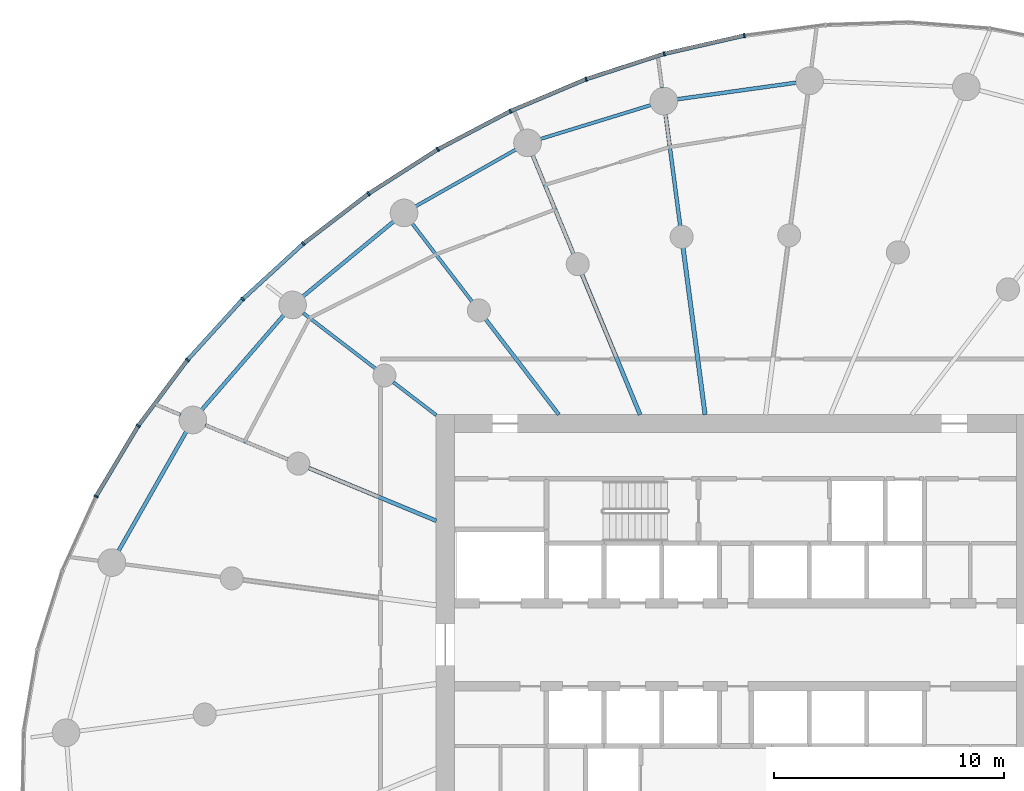
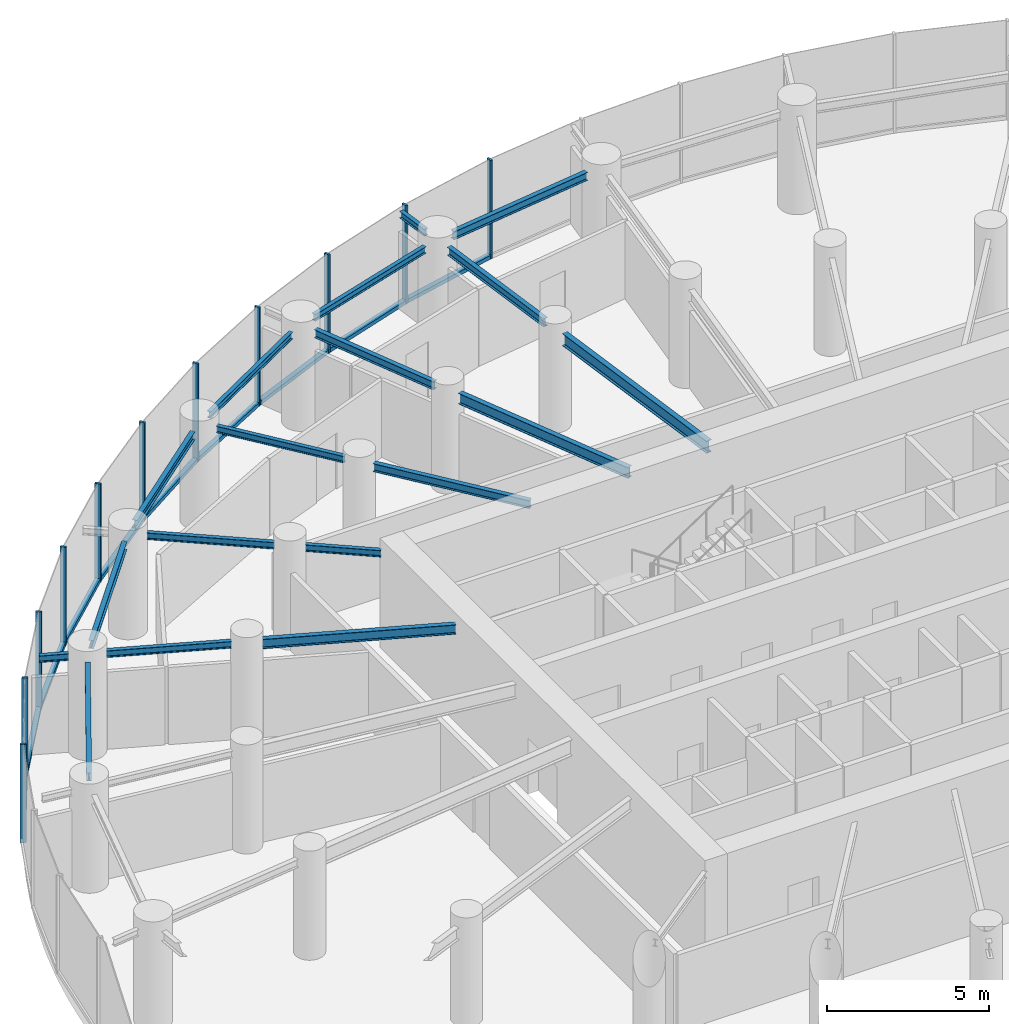
# One storey, part 6 of 18: 21 members, 18 beams, 3 elements without a shape of their own.
"""IFC4 building model written with IfcOpenShell, lengths in metres."""

import ifcopenshell
import ifcopenshell.guid

model = None  # the IFC model being written
_history = None  # IfcOwnerHistory: only IFC2X3 demands one
_inside = {}  # id of a spatial element -> (the spatial element, [elements in it])
_under = {}  # id of a project, library or spatial element -> (it, [spatial elements below it])
_declared = {}  # id of a project -> (the project, [libraries it declares])
_typed = {}  # id of a type object -> (the type object, [elements of that type])
_made_of = {}  # id of a material, layer set ... -> (it, [elements and type objects made of it])


def new_model(schema):
    """Start an empty IFC model of exactly this schema.

    Asked for "IFC4X3", IfcOpenShell would pick the latest addendum, in which some entities
    have other attributes; the version numbers below select the first issue.
    IFC2X3 requires an IfcOwnerHistory on every rooted entity: one is made here for all.
    """
    global model, _history
    if schema == "IFC4X3":
        model = ifcopenshell.file(schema_version=(4, 3, 0, 0))
    else:
        model = ifcopenshell.file(schema=schema)
    _inside.clear()
    _under.clear()
    _declared.clear()
    _typed.clear()
    _made_of.clear()
    _history = None
    if model.schema == "IFC2X3":
        org = make("IfcOrganization", Name="unknown")
        user = make(
            "IfcPersonAndOrganization",
            ThePerson=make("IfcPerson", FamilyName="unknown"),
            TheOrganization=org,
        )
        app = make(
            "IfcApplication",
            ApplicationDeveloper=org,
            Version="unknown",
            ApplicationFullName="unknown",
            ApplicationIdentifier="unknown",
        )
        _history = make(
            "IfcOwnerHistory",
            OwningUser=user,
            OwningApplication=app,
            ChangeAction="ADDED",
            CreationDate=0,
        )
    return model


def make(cls, **values):
    """One entity of the class cls with the attributes given. An attribute that is None is left unset."""
    return model.create_entity(
        cls, **{name: value for name, value in values.items() if value is not None}
    )


def rooted(cls, **values):
    """An entity with a GlobalId (a new one), such as an element, a storey or a relation."""
    return make(cls, GlobalId=ifcopenshell.guid.new(), OwnerHistory=_history, **values)


def si_unit(unit_type, name, prefix=None):
    """IfcSIUnit, for example si_unit("LENGTHUNIT", "METRE", prefix="MILLI")."""
    return make("IfcSIUnit", UnitType=unit_type, Prefix=prefix, Name=name)


def assignment(units):
    """IfcUnitAssignment: the units of a project."""
    return None if units is None else make("IfcUnitAssignment", Units=units)


def point(xyz):
    """IfcCartesianPoint."""
    return None if xyz is None else make("IfcCartesianPoint", Coordinates=xyz)


def direction(xyz):
    """IfcDirection."""
    return None if xyz is None else make("IfcDirection", DirectionRatios=xyz)


def frame(location, z_axis=None, x_axis=None):
    """IfcAxis2Placement3D, a coordinate frame: its origin and axes. An axis left out is left unset."""
    return make(
        "IfcAxis2Placement3D",
        Location=point(location),
        Axis=direction(z_axis),
        RefDirection=direction(x_axis),
    )


def frame_2d(location, x_axis=None):
    """IfcAxis2Placement2D, a coordinate frame in the plane: its origin and x axis."""
    return make(
        "IfcAxis2Placement2D", Location=point(location), RefDirection=direction(x_axis)
    )


def origin():
    """The frame at (0, 0, 0) with its axes left unset."""
    return frame((0.0, 0.0, 0.0))


def origin_2d():
    """The frame at (0, 0) in the plane with its x axis left unset."""
    return frame_2d((0.0, 0.0))


def place(relative_to, where):
    """IfcLocalPlacement: puts the frame where relative to a parent placement (None: the world)."""
    return make(
        "IfcLocalPlacement", PlacementRelTo=relative_to, RelativePlacement=where
    )


def context(
    kind, dimensions, precision=None, world=None, true_north=None, identifier=None
):
    """IfcGeometricRepresentationContext, for example the 3D "Model" context."""
    return make(
        "IfcGeometricRepresentationContext",
        ContextIdentifier=identifier,
        ContextType=kind,
        CoordinateSpaceDimension=dimensions,
        Precision=precision,
        WorldCoordinateSystem=world,
        TrueNorth=true_north,
    )


def subcontext(parent, identifier, kind, view, scale=None):
    """IfcGeometricRepresentationSubContext, for example "Body" below "Model"."""
    return make(
        "IfcGeometricRepresentationSubContext",
        ContextIdentifier=identifier,
        ContextType=kind,
        ParentContext=parent,
        TargetScale=scale,
        TargetView=view,
    )


def project(units=None, contexts=None):
    """IfcProject with its units and contexts."""
    return rooted(
        "IfcProject",
        Name="project",
        RepresentationContexts=contexts,
        UnitsInContext=assignment(units),
    )


def spatial(cls, under=None, at=None, **own):
    """A site, building, storey or space (cls), placed at a placement, below another one or the project."""
    s = rooted(cls, ObjectPlacement=at, **own)
    if under is not None:
        _under.setdefault(under.id(), (under, []))[1].append(s)
    return s


def profile(cls, at=None, kind="AREA", **sizes):
    """A parametric profile (cls). Its sizes go by their IFC names, for example OverallWidth=200.0."""
    return make(cls, ProfileType=kind, Position=at, **sizes)


def rectangle(**sizes):
    """IfcRectangleProfileDef."""
    return profile("IfcRectangleProfileDef", **sizes)


def i_section(**sizes):
    """IfcIShapeProfileDef."""
    return profile("IfcIShapeProfileDef", **sizes)


def extrude(swept, where, along, depth):
    """IfcExtrudedAreaSolid: the profile swept, set in the frame where, extruded along a direction by depth."""
    return make(
        "IfcExtrudedAreaSolid",
        SweptArea=swept,
        Position=where,
        ExtrudedDirection=direction(along),
        Depth=depth,
    )


def shape(context_of_items, identifier, shape_type, items):
    """IfcShapeRepresentation: the items that make up one representation, for example the "Body"."""
    return make(
        "IfcShapeRepresentation",
        ContextOfItems=context_of_items,
        RepresentationIdentifier=identifier,
        RepresentationType=shape_type,
        Items=items,
    )


def source(mapping_origin, context_of_items, identifier, shape_type, items):
    """IfcRepresentationMap: a shape defined once, which mapped items show again and again."""
    return make(
        "IfcRepresentationMap",
        MappingOrigin=mapping_origin,
        MappedRepresentation=shape(context_of_items, identifier, shape_type, items),
    )


def transform(
    local_origin,
    x_axis=None,
    y_axis=None,
    z_axis=None,
    scale=None,
    scale2=None,
    scale3=None,
    uniform=True,
):
    """IfcCartesianTransformationOperator3D, or its non-uniform kind. x_axis, y_axis, z_axis: its Axis1, 2, 3."""
    if uniform:
        return make(
            "IfcCartesianTransformationOperator3D",
            Axis1=direction(x_axis),
            Axis2=direction(y_axis),
            LocalOrigin=point(local_origin),
            Scale=scale,
            Axis3=direction(z_axis),
        )
    return make(
        "IfcCartesianTransformationOperator3DnonUniform",
        Axis1=direction(x_axis),
        Axis2=direction(y_axis),
        LocalOrigin=point(local_origin),
        Scale=scale,
        Axis3=direction(z_axis),
        Scale2=scale2,
        Scale3=scale3,
    )


def mapped(mapping_source, mapping_target):
    """IfcMappedItem: shows the shape of a source again, moved by a transform."""
    return make(
        "IfcMappedItem", MappingSource=mapping_source, MappingTarget=mapping_target
    )


def material(Name=None, Category=None):
    """IfcMaterial."""
    return make("IfcMaterial", Name=Name, Category=Category)


def layer(
    of_material, thickness, ventilated=None, Name=None, Category=None, Priority=None
):
    """IfcMaterialLayer: one layer of a wall or slab, of a material (None: an air gap)."""
    return make(
        "IfcMaterialLayer",
        Material=of_material,
        LayerThickness=thickness,
        IsVentilated=ventilated,
        Name=Name,
        Category=Category,
        Priority=Priority,
    )


def layer_set(layers, Name=None):
    """IfcMaterialLayerSet."""
    return make("IfcMaterialLayerSet", MaterialLayers=layers, LayerSetName=Name)


def material_profile(
    of_material, cross_section, Name=None, Category=None, Priority=None
):
    """IfcMaterialProfile: a cross section and its material."""
    return make(
        "IfcMaterialProfile",
        Name=Name,
        Material=of_material,
        Profile=cross_section,
        Priority=Priority,
        Category=Category,
    )


def profile_set(profiles, Name=None, composite=None):
    """IfcMaterialProfileSet."""
    return make(
        "IfcMaterialProfileSet",
        Name=Name,
        MaterialProfiles=profiles,
        CompositeProfile=composite,
    )


def made_of(thing, what):
    """Note that an element or type object is made of a material, layer set ...; save() writes the relation."""
    if what is not None:
        _made_of.setdefault(what.id(), (what, []))[1].append(thing)
    return thing


def type_object(cls, material=None, **own):
    """A type object (cls), such as IfcWallType, which elements share."""
    return made_of(rooted(cls, **own), material)


def element(
    cls,
    number,
    at=None,
    inside=None,
    cuts=None,
    type_object=None,
    material=None,
    context=None,
    identifier="Body",
    shape_type=None,
    held_by="IfcProductDefinitionShape",
    body=None,
    shapes=None,
    **own,
):
    """One element of the class cls, such as IfcWall. Its Tag is "e" and its number.

    at: its placement. inside: the storey or other place that contains it. cuts: it is an
    opening in that element (IfcRelVoidsElement). A single representation is given by context,
    identifier, shape_type and body (its items); several are given by shapes. held_by: the class
    of the entity that holds the representations. save() writes the other relations.
    """
    e = rooted(cls, Tag="e%d" % number, ObjectPlacement=at, **own)
    if body is not None:
        shapes = [shape(context, identifier, shape_type, body)]
    if shapes is not None:
        e.Representation = make(held_by, Representations=shapes)
    if inside is not None:
        _inside.setdefault(inside.id(), (inside, []))[1].append(e)
    if cuts is not None:
        rooted(
            "IfcRelVoidsElement", RelatingBuildingElement=cuts, RelatedOpeningElement=e
        )
    if type_object is not None:
        _typed.setdefault(type_object.id(), (type_object, []))[1].append(e)
    return made_of(e, material)


def aggregate(whole, parts):
    """IfcRelAggregates: a whole, such as a stair, and the parts it consists of."""
    return rooted("IfcRelAggregates", RelatingObject=whole, RelatedObjects=parts)


def save(model, path):
    """Write the relations noted so far, then the file.

    IfcRelAggregates (storeys below a building ...), IfcRelContainedInSpatialStructure (elements
    in a storey), IfcRelDefinesByType, IfcRelAssociatesMaterial and IfcRelDeclares: one each for
    every whole, place, type object, material and project.
    """
    for whole, parts in _under.values():
        aggregate(whole, parts)
    for where, things in _inside.values():
        rooted(
            "IfcRelContainedInSpatialStructure",
            RelatedElements=things,
            RelatingStructure=where,
        )
    for kind, things in _typed.values():
        rooted("IfcRelDefinesByType", RelatedObjects=things, RelatingType=kind)
    for what, things in _made_of.values():
        rooted("IfcRelAssociatesMaterial", RelatedObjects=things, RelatingMaterial=what)
    for by, libraries in _declared.values():
        rooted("IfcRelDeclares", RelatingContext=by, RelatedDefinitions=libraries)
    model.write(path)


model = new_model("IFC4")

# Units and contexts
model_context = context("Model", 3, precision=1e-05, world=origin(), true_north=direction((0.0, 1.0)))
body_context = subcontext(model_context, "Body", "Model", "MODEL_VIEW")
ifc_project = project(units=[si_unit("LENGTHUNIT", "METRE"), si_unit("AREAUNIT", "SQUARE_METRE"), si_unit("VOLUMEUNIT", "CUBIC_METRE"), si_unit("PLANEANGLEUNIT", "RADIAN"), si_unit("MASSUNIT", "GRAM", prefix="KILO")], contexts=[model_context])

# Site, building, storey
site_placement = place(None, origin())
site = spatial("IfcSite", under=ifc_project, at=site_placement, CompositionType="ELEMENT")
building_placement = place(site_placement, origin())
building = spatial("IfcBuilding", under=site, at=building_placement, Name="Spindrift Exchange Tower", CompositionType="ELEMENT")
storey_placement = place(building_placement, frame((0.0, 0.0, 116.699951171875)))
storey = spatial("IfcBuildingStorey", under=building, at=storey_placement, Name="L27", CompositionType="ELEMENT", Elevation=116.699951171875)

# Beams
ifc_material_1 = material(Name="Steel Grade 300", Category="steel")
ifc_material_profile_1 = material_profile(ifc_material_1, i_section(OverallWidth=0.18994140625, OverallDepth=0.45703125, WebThickness=0.009033203125, FlangeThickness=0.014404296875, FilletRadius=0.013916015625, at=origin_2d()), Name="460UB74.6")
ifc_profile_set_1 = profile_set([ifc_material_profile_1], Name="Steel Grade 300")
beam_type_1 = type_object("IfcBeamType", Name="Floor Beam 460UB74.6 Steel Grade 300", PredefinedType="BEAM", material=ifc_profile_set_1)
shared_shape_1 = source(origin(), body_context, "Body", "SweptSolid", [
    extrude(i_section(OverallWidth=0.18994140625, OverallDepth=0.45703125, WebThickness=0.009033203125, FlangeThickness=0.014404296875, FilletRadius=0.013916015625, at=origin_2d()), origin(), (0.0, 0.0, 1.0), 7.3095703125),
])
beam_1_placement = place(storey_placement, frame((50.68603515625, 57.980224609375, 3.471435546875), z_axis=(-0.130527087244, 0.991444743541, 0.0), x_axis=(-0.991444743541, -0.130527087244, 0.0)))
element("IfcBeam", 1, at=beam_1_placement, inside=storey, type_object=beam_type_1, Name="L27 radial beam R07A", PredefinedType="BEAM", context=body_context, shape_type="MappedRepresentation", body=[
    mapped(shared_shape_1, transform((0.0, 0.0, 0.0), scale=1.0)),
])
ifc_material_profile_2 = material_profile(ifc_material_1, i_section(OverallWidth=0.177978515625, OverallDepth=0.406005859375, WebThickness=0.0078125, FlangeThickness=0.0126953125, FilletRadius=0.013916015625, at=origin_2d()), Name="410UB59.7")
ifc_profile_set_2 = profile_set([ifc_material_profile_2], Name="Steel Grade 300")
beam_type_2 = type_object("IfcBeamType", Name="Floor Beam 410UB59.7 Steel Grade 300", PredefinedType="BEAM", material=ifc_profile_set_2)
shared_shape_2 = source(origin(), body_context, "Body", "SweptSolid", [
    extrude(i_section(OverallWidth=0.177978515625, OverallDepth=0.406005859375, WebThickness=0.0078125, FlangeThickness=0.0126953125, FilletRadius=0.013916015625, at=origin_2d()), origin(), (0.0, 0.0, 1.0), 6.594482421875),
])
beam_2_placement = place(storey_placement, frame((47.865478515625, 57.9814453125, 3.4970703125), z_axis=(-0.382692929746, 0.92387559851, 0.0), x_axis=(-0.92387559851, -0.382692929746, 0.0)))
element("IfcBeam", 2, at=beam_2_placement, inside=storey, type_object=beam_type_2, Name="L27 radial beam R08A", PredefinedType="BEAM", context=body_context, shape_type="MappedRepresentation", body=[
    mapped(shared_shape_2, transform((0.0, 0.0, 0.0), scale=1.0)),
])
ifc_material_profile_3 = material_profile(ifc_material_1, i_section(OverallWidth=0.1650390625, OverallDepth=0.303955078125, WebThickness=0.006103515625, FlangeThickness=0.01025390625, FilletRadius=0.011474609375, at=origin_2d()), Name="310UB40.4")
ifc_profile_set_3 = profile_set([ifc_material_profile_3], Name="Steel Grade 300")
beam_type_3 = type_object("IfcBeamType", Name="Floor Beam 310UB40.4 Steel Grade 300", PredefinedType="BEAM", material=ifc_profile_set_3)
shared_shape_3 = source(origin(), body_context, "Body", "SweptSolid", [
    extrude(i_section(OverallWidth=0.1650390625, OverallDepth=0.303955078125, WebThickness=0.006103515625, FlangeThickness=0.01025390625, FilletRadius=0.011474609375, at=origin_2d()), origin(), (0.0, 0.0, 1.0), 5.224609375),
])
beam_3_placement = place(storey_placement, frame((44.3388671875, 57.984130859375, 3.548095703125), z_axis=(-0.608741499316, 0.793368632485, 0.0), x_axis=(-0.793368632485, -0.608741499316, 0.0)))
element("IfcBeam", 3, at=beam_3_placement, inside=storey, type_object=beam_type_3, Name="L27 radial beam R09A", PredefinedType="BEAM", context=body_context, shape_type="MappedRepresentation", body=[
    mapped(shared_shape_3, transform((0.0, 0.0, 0.0), scale=1.0)),
])
ifc_material_profile_4 = material_profile(ifc_material_1, i_section(OverallWidth=0.14599609375, OverallDepth=0.251953125, WebThickness=0.006103515625, FlangeThickness=0.008544921875, FilletRadius=0.011962890625, at=origin_2d()), Name="250UB31.4")
ifc_profile_set_4 = profile_set([ifc_material_profile_4], Name="Steel Grade 300")
beam_type_4 = type_object("IfcBeamType", Name="Floor Beam 250UB31.4 Steel Grade 300", PredefinedType="BEAM", material=ifc_profile_set_4)
shared_shape_4 = source(origin(), body_context, "Body", "SweptSolid", [
    extrude(i_section(OverallWidth=0.14599609375, OverallDepth=0.251953125, WebThickness=0.006103515625, FlangeThickness=0.008544921875, FilletRadius=0.011962890625, at=origin_2d()), origin(), (0.0, 0.0, 1.0), 2.353759765625),
])
beam_4_placement = place(storey_placement, frame((39.015869140625, 57.963134765625, 3.573974609375), z_axis=(-0.793367573265, 0.608742879787, 0.0), x_axis=(-0.608742879787, -0.793367573265, 0.0)))
element("IfcBeam", 4, at=beam_4_placement, inside=storey, type_object=beam_type_4, Name="L27 radial beam R10A", PredefinedType="BEAM", context=body_context, shape_type="MappedRepresentation", body=[
    mapped(shared_shape_4, transform((0.0, 0.0, 0.0), scale=1.0)),
])
ifc_material_profile_5 = material_profile(ifc_material_1, i_section(OverallWidth=0.172119140625, OverallDepth=0.35888671875, WebThickness=0.008056640625, FlangeThickness=0.012939453125, FilletRadius=0.013916015625, at=origin_2d()), Name="360UB56.7")
ifc_profile_set_5 = profile_set([ifc_material_profile_5], Name="Steel Grade 300")
beam_type_5 = type_object("IfcBeamType", Name="Floor Beam 360UB56.7 Steel Grade 300", PredefinedType="BEAM", material=ifc_profile_set_5)
shared_shape_5 = source(origin(), body_context, "Body", "SweptSolid", [
    extrude(i_section(OverallWidth=0.172119140625, OverallDepth=0.35888671875, WebThickness=0.008056640625, FlangeThickness=0.012939453125, FilletRadius=0.013916015625, at=origin_2d()), origin(), (0.0, 0.0, 1.0), 6.004638671875),
])
beam_5_placement = place(storey_placement, frame((39.0185546875, 53.377197265625, 3.5205078125), z_axis=(-0.923882044911, 0.38267736684, 0.0), x_axis=(-0.38267736684, -0.923882044911, 0.0)))
element("IfcBeam", 5, at=beam_5_placement, inside=storey, type_object=beam_type_5, Name="L27 radial beam R11A", PredefinedType="BEAM", context=body_context, shape_type="MappedRepresentation", body=[
    mapped(shared_shape_5, transform((0.0, 0.0, 0.0), scale=1.0)),
])
shared_shape_6 = source(origin(), body_context, "Body", "SweptSolid", [
    extrude(i_section(OverallWidth=0.1650390625, OverallDepth=0.303955078125, WebThickness=0.006103515625, FlangeThickness=0.01025390625, FilletRadius=0.011474609375, at=origin_2d()), origin(), (0.0, 0.0, 1.0), 4.883056640625),
])
beam_6_placement = place(storey_placement, frame((49.606689453125, 66.17919921875, 3.548095703125), z_axis=(-0.130542457964, 0.991442719812, 0.0), x_axis=(-0.991442719812, -0.130542457964, 0.0)))
element("IfcBeam", 6, at=beam_6_placement, inside=storey, type_object=beam_type_3, Name="L27 radial beam R07B", PredefinedType="BEAM", context=body_context, shape_type="MappedRepresentation", body=[
    mapped(shared_shape_6, transform((0.0, 0.0, 0.0), scale=1.0)),
])
shared_shape_7 = source(origin(), body_context, "Body", "SweptSolid", [
    extrude(i_section(OverallWidth=0.1650390625, OverallDepth=0.303955078125, WebThickness=0.006103515625, FlangeThickness=0.01025390625, FilletRadius=0.011474609375, at=origin_2d()), origin(), (0.0, 0.0, 1.0), 4.63671875),
])
beam_7_placement = place(storey_placement, frame((44.974609375, 64.9609375, 3.548095703125), z_axis=(-0.382692818086, 0.923875644763, 0.0), x_axis=(-0.923875644763, -0.382692818086, 0.0)))
element("IfcBeam", 7, at=beam_7_placement, inside=storey, type_object=beam_type_3, Name="L27 radial beam R08B", PredefinedType="BEAM", context=body_context, shape_type="MappedRepresentation", body=[
    mapped(shared_shape_7, transform((0.0, 0.0, 0.0), scale=1.0)),
])
shared_shape_8 = source(origin(), body_context, "Body", "SweptSolid", [
    extrude(i_section(OverallWidth=0.14599609375, OverallDepth=0.251953125, WebThickness=0.006103515625, FlangeThickness=0.008544921875, FilletRadius=0.011962890625, at=origin_2d()), origin(), (0.0, 0.0, 1.0), 4.27587890625),
])
beam_8_placement = place(storey_placement, frame((40.573974609375, 62.890625, 3.573974609375), z_axis=(-0.608725184746, 0.793381150177, 0.0), x_axis=(-0.793381150177, -0.608725184746, 0.0)))
element("IfcBeam", 8, at=beam_8_placement, inside=storey, type_object=beam_type_4, Name="L27 radial beam R09B", PredefinedType="BEAM", context=body_context, shape_type="MappedRepresentation", body=[
    mapped(shared_shape_8, transform((0.0, 0.0, 0.0), scale=1.0)),
])
shared_shape_9 = source(origin(), body_context, "Body", "SweptSolid", [
    extrude(i_section(OverallWidth=0.14599609375, OverallDepth=0.251953125, WebThickness=0.006103515625, FlangeThickness=0.008544921875, FilletRadius=0.011962890625, at=origin_2d()), origin(), (0.0, 0.0, 1.0), 3.966064453125),
])
beam_9_placement = place(storey_placement, frame((36.38671875, 59.98046875, 3.573974609375), z_axis=(-0.79336256318, 0.608749409318, 0.0), x_axis=(-0.608749409318, -0.79336256318, 0.0)))
element("IfcBeam", 9, at=beam_9_placement, inside=storey, type_object=beam_type_4, Name="L27 radial beam R10B", PredefinedType="BEAM", context=body_context, shape_type="MappedRepresentation", body=[
    mapped(shared_shape_9, transform((0.0, 0.0, 0.0), scale=1.0)),
])
shared_shape_10 = source(origin(), body_context, "Body", "SweptSolid", [
    extrude(i_section(OverallWidth=0.14599609375, OverallDepth=0.251953125, WebThickness=0.006103515625, FlangeThickness=0.008544921875, FilletRadius=0.011962890625, at=origin_2d()), origin(), (0.0, 0.0, 1.0), 3.892333984375),
])
beam_10_placement = place(storey_placement, frame((32.583984375, 56.04248046875, 3.573974609375), z_axis=(-0.923878458273, 0.382686025794, 0.0), x_axis=(-0.382686025794, -0.923878458273, 0.0)))
element("IfcBeam", 10, at=beam_10_placement, inside=storey, type_object=beam_type_4, Name="L27 radial beam R11B", PredefinedType="BEAM", context=body_context, shape_type="MappedRepresentation", body=[
    mapped(shared_shape_10, transform((0.0, 0.0, 0.0), scale=1.0)),
])
ifc_material_profile_6 = material_profile(ifc_material_1, i_section(OverallWidth=0.1650390625, OverallDepth=0.303955078125, WebThickness=0.006103515625, FlangeThickness=0.01025390625, FilletRadius=0.011474609375, at=origin_2d()), Name="310UB40.4")
ifc_profile_set_6 = profile_set([ifc_material_profile_6], Name="Steel Grade 300")
beam_type_6 = type_object("IfcBeamType", Name="Edge Beam 310UB40.4 Steel Grade 300", PredefinedType="SPANDREL", material=ifc_profile_set_6)
shared_shape_11 = source(origin(), body_context, "Body", "SweptSolid", [
    extrude(i_section(OverallWidth=0.1650390625, OverallDepth=0.303955078125, WebThickness=0.006103515625, FlangeThickness=0.01025390625, FilletRadius=0.011474609375, at=origin_2d()), origin(), (0.0, 0.0, 1.0), 5.22998046875),
])
beam_11_placement = place(storey_placement, frame((54.64794921875, 72.396728515625, 3.548095703125), z_axis=(-0.990440078597, -0.137943650481, 0.0), x_axis=(0.137943650481, -0.990440078597, 0.0)))
element("IfcBeam", 11, at=beam_11_placement, inside=storey, type_object=beam_type_6, Name="L27 edge beam E06", PredefinedType="SPANDREL", context=body_context, shape_type="MappedRepresentation", body=[
    mapped(shared_shape_11, transform((0.0, 0.0, 0.0), scale=1.0)),
])
ifc_material_profile_7 = material_profile(ifc_material_1, i_section(OverallWidth=0.14599609375, OverallDepth=0.251953125, WebThickness=0.006103515625, FlangeThickness=0.008544921875, FilletRadius=0.011962890625, at=origin_2d()), Name="250UB31.4")
ifc_profile_set_7 = profile_set([ifc_material_profile_7], Name="Steel Grade 300")
beam_type_7 = type_object("IfcBeamType", Name="Edge Beam 250UB31.4 Steel Grade 300", PredefinedType="SPANDREL", material=ifc_profile_set_7)
shared_shape_12 = source(origin(), body_context, "Body", "SweptSolid", [
    extrude(i_section(OverallWidth=0.14599609375, OverallDepth=0.251953125, WebThickness=0.006103515625, FlangeThickness=0.008544921875, FilletRadius=0.011962890625, at=origin_2d()), origin(), (0.0, 0.0, 1.0), 5.027587890625),
])
beam_12_placement = place(storey_placement, frame((48.339111328125, 71.42529296875, 3.573974609375), z_axis=(-0.956018084082, -0.293307727325, 0.0), x_axis=(0.293307727325, -0.956018084082, 0.0)))
element("IfcBeam", 12, at=beam_12_placement, inside=storey, type_object=beam_type_7, Name="L27 edge beam E07", PredefinedType="SPANDREL", context=body_context, shape_type="MappedRepresentation", body=[
    mapped(shared_shape_12, transform((0.0, 0.0, 0.0), scale=1.0)),
])
shared_shape_13 = source(origin(), body_context, "Body", "SweptSolid", [
    extrude(i_section(OverallWidth=0.14599609375, OverallDepth=0.251953125, WebThickness=0.006103515625, FlangeThickness=0.008544921875, FilletRadius=0.011962890625, at=origin_2d()), origin(), (0.0, 0.0, 1.0), 5.0009765625),
])
beam_13_placement = place(storey_placement, frame((42.4736328125, 69.494384765625, 3.573974609375), z_axis=(-0.870045916697, -0.492970691663, 0.0), x_axis=(0.492970691663, -0.870045916697, 0.0)))
element("IfcBeam", 13, at=beam_13_placement, inside=storey, type_object=beam_type_7, Name="L27 edge beam E08", PredefinedType="SPANDREL", context=body_context, shape_type="MappedRepresentation", body=[
    mapped(shared_shape_13, transform((0.0, 0.0, 0.0), scale=1.0)),
])
shared_shape_14 = source(origin(), body_context, "Body", "SweptSolid", [
    extrude(i_section(OverallWidth=0.1650390625, OverallDepth=0.303955078125, WebThickness=0.006103515625, FlangeThickness=0.01025390625, FilletRadius=0.011474609375, at=origin_2d()), origin(), (0.0, 0.0, 1.0), 5.114501953125),
])
beam_14_placement = place(storey_placement, frame((37.1708984375, 66.373779296875, 3.548095703125), z_axis=(-0.771073837992, -0.63674573918, 0.0), x_axis=(0.63674573918, -0.771073837992, 0.0)))
element("IfcBeam", 14, at=beam_14_placement, inside=storey, type_object=beam_type_6, Name="L27 edge beam E09", PredefinedType="SPANDREL", context=body_context, shape_type="MappedRepresentation", body=[
    mapped(shared_shape_14, transform((0.0, 0.0, 0.0), scale=1.0)),
])
shared_shape_15 = source(origin(), body_context, "Body", "SweptSolid", [
    extrude(i_section(OverallWidth=0.1650390625, OverallDepth=0.303955078125, WebThickness=0.006103515625, FlangeThickness=0.01025390625, FilletRadius=0.011474609375, at=origin_2d()), origin(), (0.0, 0.0, 1.0), 5.448486328125),
])
beam_15_placement = place(storey_placement, frame((32.400390625, 62.3095703125, 3.548095703125), z_axis=(-0.654922008827, -0.755696475018, 0.0), x_axis=(0.755696475018, -0.654922008827, 0.0)))
element("IfcBeam", 15, at=beam_15_placement, inside=storey, type_object=beam_type_6, Name="L27 edge beam E10", PredefinedType="SPANDREL", context=body_context, shape_type="MappedRepresentation", body=[
    mapped(shared_shape_15, transform((0.0, 0.0, 0.0), scale=1.0)),
])
shared_shape_16 = source(origin(), body_context, "Body", "SweptSolid", [
    extrude(i_section(OverallWidth=0.1650390625, OverallDepth=0.303955078125, WebThickness=0.006103515625, FlangeThickness=0.01025390625, FilletRadius=0.011474609375, at=origin_2d()), origin(), (0.0, 0.0, 1.0), 5.9599609375),
])
beam_16_placement = place(storey_placement, frame((28.165771484375, 57.24951171875, 3.548095703125), z_axis=(-0.493940434745, -0.869495742901, 0.0), x_axis=(0.869495742901, -0.493940434745, 0.0)))
element("IfcBeam", 16, at=beam_16_placement, inside=storey, type_object=beam_type_6, Name="L27 edge beam E11", PredefinedType="SPANDREL", context=body_context, shape_type="MappedRepresentation", body=[
    mapped(shared_shape_16, transform((0.0, 0.0, 0.0), scale=1.0)),
])
ifc_material_profile_8 = material_profile(ifc_material_1, i_section(OverallWidth=0.14599609375, OverallDepth=0.251953125, WebThickness=0.006103515625, FlangeThickness=0.008544921875, FilletRadius=0.011962890625, at=origin_2d()), Name="250UB31.4")
ifc_profile_set_8 = profile_set([ifc_material_profile_8], Name="Steel Grade 300")
beam_type_8 = type_object("IfcBeamType", Name="Cantilever Beam 250UB31.4 Steel Grade 300", PredefinedType="BEAM", material=ifc_profile_set_8)
shared_shape_17 = source(origin(), body_context, "Body", "SweptSolid", [
    extrude(i_section(OverallWidth=0.14599609375, OverallDepth=0.251953125, WebThickness=0.006103515625, FlangeThickness=0.008544921875, FilletRadius=0.011962890625, at=origin_2d()), origin(), (0.0, 0.0, 1.0), 1.250244140625),
])
beam_17_placement = place(storey_placement, frame((48.81787109375, 72.17041015625, 3.573974609375), z_axis=(-0.130449460985, 0.991454960212, 0.0), x_axis=(-0.991454960212, -0.130449460985, 0.0)))
element("IfcBeam", 17, at=beam_17_placement, inside=storey, type_object=beam_type_8, Name="L27 cantilever beam R07T", PredefinedType="BEAM", context=body_context, shape_type="MappedRepresentation", body=[
    mapped(shared_shape_17, transform((0.0, 0.0, 0.0), scale=1.0)),
])
shared_shape_18 = source(origin(), body_context, "Body", "SweptSolid", [
    extrude(i_section(OverallWidth=0.14599609375, OverallDepth=0.251953125, WebThickness=0.006103515625, FlangeThickness=0.008544921875, FilletRadius=0.011962890625, at=origin_2d()), origin(), (0.0, 0.0, 1.0), 0.921630859375),
])
beam_18_placement = place(storey_placement, frame((27.91650390625, 57.975830078125, 3.573974609375), z_axis=(-0.923858639481, 0.382733868707, 0.0), x_axis=(-0.382733868707, -0.923858639481, 0.0)))
element("IfcBeam", 18, at=beam_18_placement, inside=storey, type_object=beam_type_8, Name="L27 cantilever beam R11T", PredefinedType="BEAM", context=body_context, shape_type="MappedRepresentation", body=[
    mapped(shared_shape_18, transform((0.0, 0.0, 0.0), scale=1.0)),
])

# Curtain wall, members
ifc_material_2 = material(Name="Fritted laminated glass with bronze frame", Category="glass")
ifc_layer = layer(ifc_material_2, 0.18994140625)
ifc_layer_set = layer_set([ifc_layer], Name="ZONE 2 BRONZE FRITTED WALL")
curtain_wall_type = type_object("IfcCurtainWallType", Name="ZONE 2 BRONZE FRITTED WALL", PredefinedType="NOTDEFINED", material=ifc_layer_set)
curtain_wall_1_placement = place(storey_placement, origin())
curtain_wall_1 = element("IfcCurtainWall", 19, at=curtain_wall_1_placement, inside=storey, type_object=curtain_wall_type, Name="L27 Zone 2 Bronze Fritted Wall run 2", PredefinedType="NOTDEFINED")
ifc_material_3 = material(Name="Bronze anodised aluminium", Category="aluminium")
ifc_material_profile_9 = material_profile(ifc_material_3, rectangle(XDim=0.074951171875, YDim=0.18994140625, at=origin_2d()), Name="ZONE 2 BRONZE FRITTED WALL MULLION 75X190")
ifc_profile_set_9 = profile_set([ifc_material_profile_9], Name="Bronze anodised aluminium")
member_type_1 = type_object("IfcMemberType", Name="ZONE 2 BRONZE FRITTED WALL MULLION 75X190", PredefinedType="MULLION", material=ifc_profile_set_9)
shared_shape_19 = source(origin(), body_context, "Body", "SweptSolid", [
    extrude(rectangle(XDim=0.074951171875, YDim=0.18994140625, at=origin_2d()), origin(), (0.0, 0.0, 1.0), 3.699951171875),
])
member_1_placement = place(storey_placement, frame((52.390380859375, 74.442138671875, 0.0), z_axis=(0.0, 0.0, 1.0), x_axis=(-0.98423005247, -0.176893198892, 0.0)))
member_1 = element("IfcMember", 20, at=member_1_placement, type_object=member_type_1, Name="L27 mullion CW-2.10", PredefinedType="MULLION", context=body_context, shape_type="MappedRepresentation", body=[
    mapped(shared_shape_19, transform((0.0, 0.0, 0.0), scale=1.0)),
])
member_2_placement = place(storey_placement, frame((48.913330078125, 73.64794921875, 0.0), z_axis=(0.0, 0.0, 1.0), x_axis=(-0.964001074966, -0.26589834047, 0.0)))
member_2 = element("IfcMember", 21, at=member_2_placement, type_object=member_type_1, Name="L27 mullion CW-2.11", PredefinedType="MULLION", context=body_context, shape_type="MappedRepresentation", body=[
    mapped(shared_shape_19, transform((0.0, 0.0, 0.0), scale=1.0)),
])
member_3_placement = place(storey_placement, frame((45.52099609375, 72.54736328125, 0.0), z_axis=(0.0, 0.0, 1.0), x_axis=(-0.937018497854, -0.349279737002, 0.0)))
member_3 = element("IfcMember", 22, at=member_3_placement, type_object=member_type_1, Name="L27 mullion CW-2.12", PredefinedType="MULLION", context=body_context, shape_type="MappedRepresentation", body=[
    mapped(shared_shape_19, transform((0.0, 0.0, 0.0), scale=1.0)),
])

curtain_wall_2_placement = place(storey_placement, origin())
curtain_wall_2 = element("IfcCurtainWall", 23, at=curtain_wall_2_placement, inside=storey, type_object=curtain_wall_type, Name="L27 Zone 2 Bronze Fritted Wall run 3", PredefinedType="NOTDEFINED")
member_4_placement = place(storey_placement, frame((42.235595703125, 71.15869140625, 0.0), z_axis=(0.0, 0.0, 1.0), x_axis=(-0.903807638676, -0.427938958581, 0.0)))
member_4 = element("IfcMember", 24, at=member_4_placement, type_object=member_type_1, Name="L27 mullion CW-2.13", PredefinedType="MULLION", context=body_context, shape_type="MappedRepresentation", body=[
    mapped(shared_shape_19, transform((0.0, 0.0, 0.0), scale=1.0)),
])
member_5_placement = place(storey_placement, frame((39.07958984375, 69.49755859375, 0.0), z_axis=(0.0, 0.0, 1.0), x_axis=(-0.86446701614, -0.502689544357, 0.0)))
member_5 = element("IfcMember", 25, at=member_5_placement, type_object=member_type_1, Name="L27 mullion CW-2.14", PredefinedType="MULLION", context=body_context, shape_type="MappedRepresentation", body=[
    mapped(shared_shape_19, transform((0.0, 0.0, 0.0), scale=1.0)),
])
member_6_placement = place(storey_placement, frame((36.074462890625, 67.576171875, 0.0), z_axis=(0.0, 0.0, 1.0), x_axis=(-0.818776786104, -0.574111987801, 0.0)))
member_6 = element("IfcMember", 26, at=member_6_placement, type_object=member_type_1, Name="L27 mullion CW-2.15", PredefinedType="MULLION", context=body_context, shape_type="MappedRepresentation", body=[
    mapped(shared_shape_19, transform((0.0, 0.0, 0.0), scale=1.0)),
])
member_7_placement = place(storey_placement, frame((33.244140625, 65.406005859375, 0.0), z_axis=(0.0, 0.0, 1.0), x_axis=(-0.766200151824, -0.64260199762, 0.0)))
member_7 = element("IfcMember", 27, at=member_7_placement, type_object=member_type_1, Name="L27 mullion CW-2.16", PredefinedType="MULLION", context=body_context, shape_type="MappedRepresentation", body=[
    mapped(shared_shape_19, transform((0.0, 0.0, 0.0), scale=1.0)),
])
member_8_placement = place(storey_placement, frame((30.6142578125, 62.99658203125, 0.0), z_axis=(0.0, 0.0, 1.0), x_axis=(-0.705842039897, -0.708369264377, 0.0)))
member_8 = element("IfcMember", 28, at=member_8_placement, type_object=member_type_1, Name="L27 mullion CW-2.17", PredefinedType="MULLION", context=body_context, shape_type="MappedRepresentation", body=[
    mapped(shared_shape_19, transform((0.0, 0.0, 0.0), scale=1.0)),
])
member_9_placement = place(storey_placement, frame((28.214599609375, 60.3583984375, 0.0), z_axis=(0.0, 0.0, 1.0), x_axis=(-0.636483978405, -0.771289922943, 0.0)))
member_9 = element("IfcMember", 29, at=member_9_placement, type_object=member_type_1, Name="L27 mullion CW-2.18", PredefinedType="MULLION", context=body_context, shape_type="MappedRepresentation", body=[
    mapped(shared_shape_19, transform((0.0, 0.0, 0.0), scale=1.0)),
])

curtain_wall_3_placement = place(storey_placement, origin())
curtain_wall_3 = element("IfcCurtainWall", 30, at=curtain_wall_3_placement, inside=storey, type_object=curtain_wall_type, Name="L27 Zone 2 Bronze Fritted Wall run 4", PredefinedType="NOTDEFINED")
member_10_placement = place(storey_placement, frame((26.07958984375, 57.501708984375, 0.0), z_axis=(0.0, 0.0, 1.0), x_axis=(-0.556576914927, -0.830796086757, 0.0)))
member_10 = element("IfcMember", 31, at=member_10_placement, type_object=member_type_1, Name="L27 mullion CW-2.19", PredefinedType="MULLION", context=body_context, shape_type="MappedRepresentation", body=[
    mapped(shared_shape_19, transform((0.0, 0.0, 0.0), scale=1.0)),
])
member_11_placement = place(storey_placement, frame((24.250244140625, 54.440673828125, 0.0), z_axis=(0.0, 0.0, 1.0), x_axis=(-0.464212497593, -0.885723860511, 0.0)))
member_11 = element("IfcMember", 32, at=member_11_placement, type_object=member_type_1, Name="L27 mullion CW-2.20", PredefinedType="MULLION", context=body_context, shape_type="MappedRepresentation", body=[
    mapped(shared_shape_19, transform((0.0, 0.0, 0.0), scale=1.0)),
])

# Member
ifc_material_profile_10 = material_profile(ifc_material_3, rectangle(XDim=0.169921875, YDim=0.139892578125, at=origin_2d()), Name="ZONE 2 BRONZE FRITTED WALL TRANSOM 170X140")
ifc_profile_set_10 = profile_set([ifc_material_profile_10], Name="Bronze anodised aluminium")
member_type_2 = type_object("IfcMemberType", Name="ZONE 2 BRONZE FRITTED WALL TRANSOM 170X140", PredefinedType="USERDEFINED", material=ifc_profile_set_10)
shared_shape_20 = source(origin(), body_context, "Body", "SweptSolid", [
    extrude(rectangle(XDim=0.169921875, YDim=0.139892578125, at=origin_2d()), origin(), (0.0, 0.0, 1.0), 3.49169921875),
])
member_12_placement = place(storey_placement, frame((45.486328125, 72.53271484375, 0.070068359375), z_axis=(-0.921108080856, -0.38930695265, 0.0), x_axis=(0.38930695265, -0.921108080856, 0.0)))
member_12 = element("IfcMember", 33, at=member_12_placement, type_object=member_type_2, Name="L27 transom CW-2.12", ObjectType="TRANSOM", PredefinedType="USERDEFINED", context=body_context, shape_type="MappedRepresentation", body=[
    mapped(shared_shape_20, transform((0.0, 0.0, 0.0), scale=1.0)),
])

member_13_placement = place(storey_placement, frame((39.0478515625, 69.477294921875, 0.070068359375), z_axis=(-0.842473246226, -0.538738182602, 0.0), x_axis=(0.538738182602, -0.842473246226, 0.0)))
member_13 = element("IfcMember", 34, at=member_13_placement, type_object=member_type_2, Name="L27 transom CW-2.14", ObjectType="TRANSOM", PredefinedType="USERDEFINED", context=body_context, shape_type="MappedRepresentation", body=[
    mapped(shared_shape_20, transform((0.0, 0.0, 0.0), scale=1.0)),
])

member_14_placement = place(storey_placement, frame((33.216552734375, 65.380615234375, 0.070068359375), z_axis=(-0.73736887393, -0.67549029879, 0.0), x_axis=(0.67549029879, -0.73736887393, 0.0)))
member_14 = element("IfcMember", 35, at=member_14_placement, type_object=member_type_2, Name="L27 transom CW-2.16", ObjectType="TRANSOM", PredefinedType="USERDEFINED", context=body_context, shape_type="MappedRepresentation", body=[
    mapped(shared_shape_20, transform((0.0, 0.0, 0.0), scale=1.0)),
])

member_15_placement = place(storey_placement, frame((30.589111328125, 62.968994140625, 0.070068359375), z_axis=(-0.672857227367, -0.739772364704, 0.0), x_axis=(0.739772364704, -0.672857227367, 0.0)))
member_15 = element("IfcMember", 36, at=member_15_placement, type_object=member_type_2, Name="L27 transom CW-2.17", ObjectType="TRANSOM", PredefinedType="USERDEFINED", context=body_context, shape_type="MappedRepresentation", body=[
    mapped(shared_shape_20, transform((0.0, 0.0, 0.0), scale=1.0)),
])

shared_shape_21 = source(origin(), body_context, "Body", "SweptSolid", [
    extrude(rectangle(XDim=0.169921875, YDim=0.139892578125, at=origin_2d()), origin(), (0.0, 0.0, 1.0), 3.491455078125),
])
member_16_placement = place(storey_placement, frame((52.353759765625, 74.433837890625, 0.070068359375), z_axis=(-0.974884972207, -0.222708982677, 0.0), x_axis=(0.222708982677, -0.974884972207, 0.0)))
member_16 = element("IfcMember", 37, at=member_16_placement, type_object=member_type_2, Name="L27 transom CW-2.10", ObjectType="TRANSOM", PredefinedType="USERDEFINED", context=body_context, shape_type="MappedRepresentation", body=[
    mapped(shared_shape_21, transform((0.0, 0.0, 0.0), scale=1.0)),
])

member_17_placement = place(storey_placement, frame((48.877685546875, 73.636474609375, 0.070068359375), z_axis=(-0.951197858916, -0.308581647533, 0.0), x_axis=(0.308581647533, -0.951197858916, 0.0)))
member_17 = element("IfcMember", 38, at=member_17_placement, type_object=member_type_2, Name="L27 transom CW-2.11", ObjectType="TRANSOM", PredefinedType="USERDEFINED", context=body_context, shape_type="MappedRepresentation", body=[
    mapped(shared_shape_21, transform((0.0, 0.0, 0.0), scale=1.0)),
])

aggregate(curtain_wall_1, [member_1, member_16, member_2, member_17, member_3, member_12])

member_18_placement = place(storey_placement, frame((42.202392578125, 71.141357421875, 0.070068359375), z_axis=(-0.884875749193, -0.465827122965, 0.0), x_axis=(0.465827122965, -0.884875749193, 0.0)))
member_18 = element("IfcMember", 39, at=member_18_placement, type_object=member_type_2, Name="L27 transom CW-2.13", ObjectType="TRANSOM", PredefinedType="USERDEFINED", context=body_context, shape_type="MappedRepresentation", body=[
    mapped(shared_shape_21, transform((0.0, 0.0, 0.0), scale=1.0)),
])

member_19_placement = place(storey_placement, frame((36.044677734375, 67.55322265625, 0.070068359375), z_axis=(-0.793569220252, -0.608479985429, 0.0), x_axis=(0.608479985429, -0.793569220252, 0.0)))
member_19 = element("IfcMember", 40, at=member_19_placement, type_object=member_type_2, Name="L27 transom CW-2.15", ObjectType="TRANSOM", PredefinedType="USERDEFINED", context=body_context, shape_type="MappedRepresentation", body=[
    mapped(shared_shape_21, transform((0.0, 0.0, 0.0), scale=1.0)),
])

member_20_placement = place(storey_placement, frame((28.192138671875, 60.328369140625, 0.070068359375), z_axis=(-0.598645353489, -0.801014195096, 0.0), x_axis=(0.801014195096, -0.598645353489, 0.0)))
member_20 = element("IfcMember", 41, at=member_20_placement, type_object=member_type_2, Name="L27 transom CW-2.18", ObjectType="TRANSOM", PredefinedType="USERDEFINED", context=body_context, shape_type="MappedRepresentation", body=[
    mapped(shared_shape_21, transform((0.0, 0.0, 0.0), scale=1.0)),
])

aggregate(curtain_wall_2, [member_4, member_18, member_5, member_13, member_6, member_19, member_7, member_14, member_8, member_15, member_9, member_20])

shared_shape_22 = source(origin(), body_context, "Body", "SweptSolid", [
    extrude(rectangle(XDim=0.169921875, YDim=0.139892578125, at=origin_2d()), origin(), (0.0, 0.0, 1.0), 3.490966796875),
])
member_21_placement = place(storey_placement, frame((26.060546875, 57.469482421875, 0.070068359375), z_axis=(-0.513034626219, -0.85836791197, 0.0), x_axis=(0.85836791197, -0.513034626219, 0.0)))
member_21 = element("IfcMember", 42, at=member_21_placement, type_object=member_type_2, Name="L27 transom CW-2.19", ObjectType="TRANSOM", PredefinedType="USERDEFINED", context=body_context, shape_type="MappedRepresentation", body=[
    mapped(shared_shape_22, transform((0.0, 0.0, 0.0), scale=1.0)),
])

aggregate(curtain_wall_3, [member_10, member_21, member_11])

save(model, "model.ifc")
